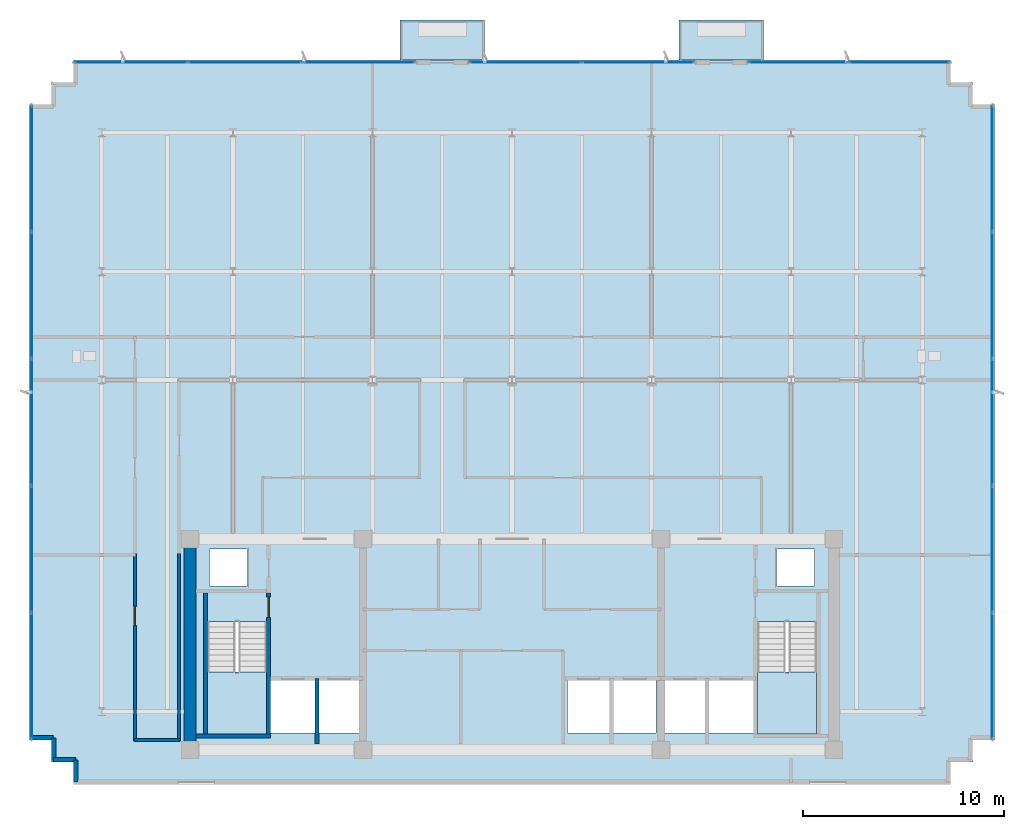
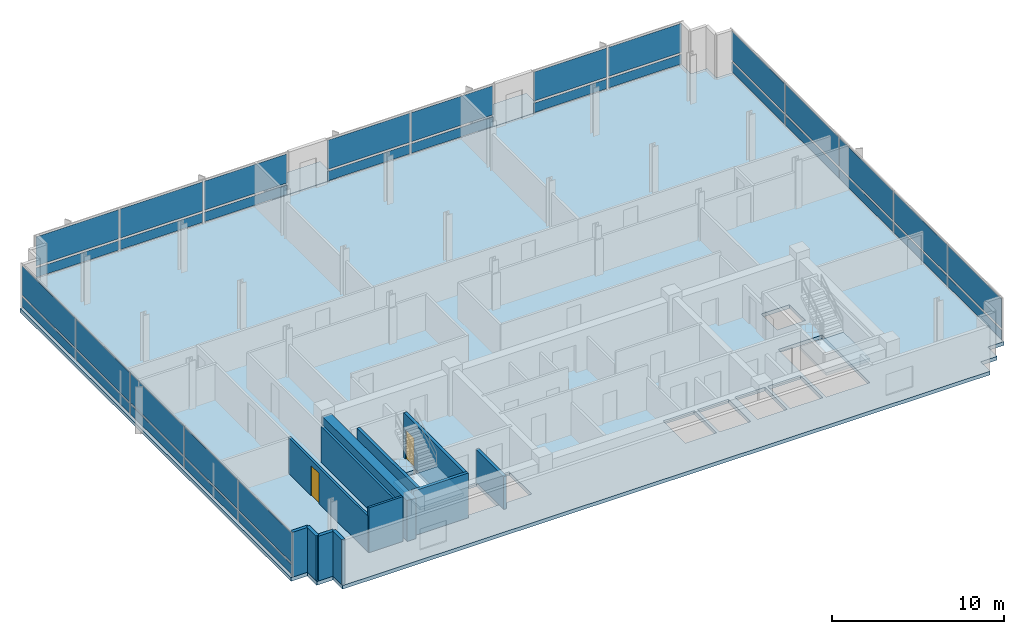
# One storey, part 7 of 13: 34 plates, 12 walls, 5 slabs, 2 doors, 2 openings, 7 elements without a shape of their own.
"""IFC4 building model written with IfcOpenShell, lengths in metres."""

from ifc_helpers import new_model, si_unit, direction, frame, frame_2d, origin, origin_2d, place, context, subcontext, project, spatial, polyline, rectangle, outline, extrude, material, layer, layer_set, type_object, element, fill, aggregate, save


model = new_model("IFC4")

# Units and contexts
model_context = context("Model", 3, precision=1e-05, world=origin(), true_north=direction((0.0, 1.0)))
body_context = subcontext(model_context, "Body", "Model", "MODEL_VIEW")
ifc_project = project(units=[si_unit("LENGTHUNIT", "METRE"), si_unit("AREAUNIT", "SQUARE_METRE"), si_unit("VOLUMEUNIT", "CUBIC_METRE"), si_unit("PLANEANGLEUNIT", "RADIAN"), si_unit("MASSUNIT", "GRAM", prefix="KILO")], contexts=[model_context])

# Site, building, storey
site_placement = place(None, origin())
site = spatial("IfcSite", under=ifc_project, at=site_placement, CompositionType="ELEMENT")
building_placement = place(site_placement, origin())
building = spatial("IfcBuilding", under=site, at=building_placement, Name="Solmavex Isthmus Hotel", CompositionType="ELEMENT")
storey_placement = place(building_placement, frame((0.0, 0.0, 279.89990234375)))
storey = spatial("IfcBuildingStorey", under=building, at=storey_placement, Name="L76", CompositionType="ELEMENT", Elevation=279.89990234375)

# Curtain wall, plates
ifc_material_1 = material(Name="Aluminium alloy 6063-T6", Category="aluminium")
curtain_wall_type = type_object("IfcCurtainWallType", Name="CW-SYS-04", PredefinedType="NOTDEFINED", material=ifc_material_1)
curtain_wall_1_placement = place(storey_placement, origin())
curtain_wall_1 = element("IfcCurtainWall", 1, at=curtain_wall_1_placement, inside=storey, type_object=curtain_wall_type, Name="Stick Curtain Wall CWL-L76-N1", PredefinedType="NOTDEFINED")
ifc_material_2 = material(Name="Clear low-E laminated glass", Category="glass")
ifc_layer_1 = layer(ifc_material_2, 0.033935546875)
ifc_layer_set_1 = layer_set([ifc_layer_1], Name="Clear low-E laminated glass")
plate_type = type_object("IfcPlateType", Name="CW-SYS-04-PNL", PredefinedType="CURTAIN_PANEL", material=ifc_layer_set_1)
plate_1_placement = place(storey_placement, frame((-18.942626953125, 21.179931640625, 0.14990234375), z_axis=(0.0, 0.0, 1.0), x_axis=(1.0, 0.0, 0.0)))
plate_1 = element("IfcPlate", 2, at=plate_1_placement, type_object=plate_type, Name="CW-04 panel 1.1", PredefinedType="CURTAIN_PANEL", context=body_context, shape_type="SweptSolid", body=[
    extrude(rectangle(XDim=5.56494140625, YDim=0.033935546875, at=origin_2d()), origin(), (0.0, 0.0, 1.0), 0.675048828125),
])
plate_2_placement = place(storey_placement, frame((-18.942626953125, 21.179931640625, 0.97509765625), z_axis=(0.0, 0.0, 1.0), x_axis=(1.0, 0.0, 0.0)))
plate_2 = element("IfcPlate", 3, at=plate_2_placement, type_object=plate_type, Name="CW-04 panel 1.2", PredefinedType="CURTAIN_PANEL", context=body_context, shape_type="SweptSolid", body=[
    extrude(rectangle(XDim=5.56494140625, YDim=0.033935546875, at=origin_2d()), origin(), (0.0, 0.0, 1.0), 2.06494140625),
])
plate_3_placement = place(storey_placement, frame((-13.283935546875, 21.179931640625, 0.14990234375), z_axis=(0.0, 0.0, 1.0), x_axis=(1.0, 0.0, 0.0)))
plate_3 = element("IfcPlate", 4, at=plate_3_placement, type_object=plate_type, Name="CW-04 panel 2.1", PredefinedType="CURTAIN_PANEL", context=body_context, shape_type="SweptSolid", body=[
    extrude(rectangle(XDim=5.602294921875, YDim=0.033935546875, at=origin_2d()), origin(), (0.0, 0.0, 1.0), 0.675048828125),
])
plate_4_placement = place(storey_placement, frame((-13.283935546875, 21.179931640625, 0.97509765625), z_axis=(0.0, 0.0, 1.0), x_axis=(1.0, 0.0, 0.0)))
plate_4 = element("IfcPlate", 5, at=plate_4_placement, type_object=plate_type, Name="CW-04 panel 2.2", PredefinedType="CURTAIN_PANEL", context=body_context, shape_type="SweptSolid", body=[
    extrude(rectangle(XDim=5.602294921875, YDim=0.033935546875, at=origin_2d()), origin(), (0.0, 0.0, 1.0), 2.06494140625),
])
plate_5_placement = place(storey_placement, frame((-7.62548828125, 21.179931640625, 0.14990234375), z_axis=(0.0, 0.0, 1.0), x_axis=(1.0, 0.0, 0.0)))
plate_5 = element("IfcPlate", 6, at=plate_5_placement, type_object=plate_type, Name="CW-04 panel 3.1", PredefinedType="CURTAIN_PANEL", context=body_context, shape_type="SweptSolid", body=[
    extrude(rectangle(XDim=5.56494140625, YDim=0.033935546875, at=origin_2d()), origin(), (0.0, 0.0, 1.0), 0.675048828125),
])
plate_6_placement = place(storey_placement, frame((-7.62548828125, 21.179931640625, 0.97509765625), z_axis=(0.0, 0.0, 1.0), x_axis=(1.0, 0.0, 0.0)))
plate_6 = element("IfcPlate", 7, at=plate_6_placement, type_object=plate_type, Name="CW-04 panel 3.2", PredefinedType="CURTAIN_PANEL", context=body_context, shape_type="SweptSolid", body=[
    extrude(rectangle(XDim=5.56494140625, YDim=0.033935546875, at=origin_2d()), origin(), (0.0, 0.0, 1.0), 2.06494140625),
])
aggregate(curtain_wall_1, [plate_1, plate_2, plate_3, plate_4, plate_5, plate_6])

curtain_wall_2_placement = place(storey_placement, origin())
curtain_wall_2 = element("IfcCurtainWall", 8, at=curtain_wall_2_placement, inside=storey, type_object=curtain_wall_type, Name="Stick Curtain Wall CWL-L76-N2", PredefinedType="NOTDEFINED")
plate_7_placement = place(storey_placement, frame((0.668701171875, 21.179931640625, 0.14990234375), z_axis=(0.0, 0.0, 1.0), x_axis=(1.0, 0.0, 0.0)))
plate_7 = element("IfcPlate", 9, at=plate_7_placement, type_object=plate_type, Name="CW-04 panel 1.1", PredefinedType="CURTAIN_PANEL", context=body_context, shape_type="SweptSolid", body=[
    extrude(rectangle(XDim=5.5234375, YDim=0.033935546875, at=origin_2d()), origin(), (0.0, 0.0, 1.0), 0.675048828125),
])
plate_8_placement = place(storey_placement, frame((0.668701171875, 21.179931640625, 0.97509765625), z_axis=(0.0, 0.0, 1.0), x_axis=(1.0, 0.0, 0.0)))
plate_8 = element("IfcPlate", 10, at=plate_8_placement, type_object=plate_type, Name="CW-04 panel 1.2", PredefinedType="CURTAIN_PANEL", context=body_context, shape_type="SweptSolid", body=[
    extrude(rectangle(XDim=5.5234375, YDim=0.033935546875, at=origin_2d()), origin(), (0.0, 0.0, 1.0), 2.06494140625),
])
plate_9_placement = place(storey_placement, frame((6.267333984375, 21.179931640625, 0.14990234375), z_axis=(0.0, 0.0, 1.0), x_axis=(1.0, 0.0, 0.0)))
plate_9 = element("IfcPlate", 11, at=plate_9_placement, type_object=plate_type, Name="CW-04 panel 2.1", PredefinedType="CURTAIN_PANEL", context=body_context, shape_type="SweptSolid", body=[
    extrude(rectangle(XDim=5.5234375, YDim=0.033935546875, at=origin_2d()), origin(), (0.0, 0.0, 1.0), 0.675048828125),
])
plate_10_placement = place(storey_placement, frame((6.267333984375, 21.179931640625, 0.97509765625), z_axis=(0.0, 0.0, 1.0), x_axis=(1.0, 0.0, 0.0)))
plate_10 = element("IfcPlate", 12, at=plate_10_placement, type_object=plate_type, Name="CW-04 panel 2.2", PredefinedType="CURTAIN_PANEL", context=body_context, shape_type="SweptSolid", body=[
    extrude(rectangle(XDim=5.5234375, YDim=0.033935546875, at=origin_2d()), origin(), (0.0, 0.0, 1.0), 2.06494140625),
])
aggregate(curtain_wall_2, [plate_7, plate_8, plate_9, plate_10])

curtain_wall_3_placement = place(storey_placement, origin())
curtain_wall_3 = element("IfcCurtainWall", 13, at=curtain_wall_3_placement, inside=storey, type_object=curtain_wall_type, Name="Stick Curtain Wall CWL-L76-N3", PredefinedType="NOTDEFINED")
plate_11_placement = place(storey_placement, frame((14.246826171875, 21.179931640625, 0.14990234375), z_axis=(0.0, 0.0, 1.0), x_axis=(1.0, 0.0, 0.0)))
plate_11 = element("IfcPlate", 14, at=plate_11_placement, type_object=plate_type, Name="CW-04 panel 1.1", PredefinedType="CURTAIN_PANEL", context=body_context, shape_type="SweptSolid", body=[
    extrude(rectangle(XDim=4.935546875, YDim=0.033935546875, at=origin_2d()), origin(), (0.0, 0.0, 1.0), 0.675048828125),
])
plate_12_placement = place(storey_placement, frame((14.246826171875, 21.179931640625, 0.97509765625), z_axis=(0.0, 0.0, 1.0), x_axis=(1.0, 0.0, 0.0)))
plate_12 = element("IfcPlate", 15, at=plate_12_placement, type_object=plate_type, Name="CW-04 panel 1.2", PredefinedType="CURTAIN_PANEL", context=body_context, shape_type="SweptSolid", body=[
    extrude(rectangle(XDim=4.935546875, YDim=0.033935546875, at=origin_2d()), origin(), (0.0, 0.0, 1.0), 2.06494140625),
])
plate_13_placement = place(storey_placement, frame((19.25732421875, 21.179931640625, 0.14990234375), z_axis=(0.0, 0.0, 1.0), x_axis=(1.0, 0.0, 0.0)))
plate_13 = element("IfcPlate", 16, at=plate_13_placement, type_object=plate_type, Name="CW-04 panel 2.1", PredefinedType="CURTAIN_PANEL", context=body_context, shape_type="SweptSolid", body=[
    extrude(rectangle(XDim=4.935546875, YDim=0.033935546875, at=origin_2d()), origin(), (0.0, 0.0, 1.0), 0.675048828125),
])
plate_14_placement = place(storey_placement, frame((19.25732421875, 21.179931640625, 0.97509765625), z_axis=(0.0, 0.0, 1.0), x_axis=(1.0, 0.0, 0.0)))
plate_14 = element("IfcPlate", 17, at=plate_14_placement, type_object=plate_type, Name="CW-04 panel 2.2", PredefinedType="CURTAIN_PANEL", context=body_context, shape_type="SweptSolid", body=[
    extrude(rectangle(XDim=4.935546875, YDim=0.033935546875, at=origin_2d()), origin(), (0.0, 0.0, 1.0), 2.06494140625),
])
aggregate(curtain_wall_3, [plate_11, plate_12, plate_13, plate_14])

curtain_wall_4_placement = place(storey_placement, origin())
curtain_wall_4 = element("IfcCurtainWall", 18, at=curtain_wall_4_placement, inside=storey, type_object=curtain_wall_type, Name="Stick Curtain Wall CWL-L76-W1", PredefinedType="NOTDEFINED")
plate_15_placement = place(storey_placement, frame((-23.8798828125, -9.3212890625, 0.14990234375), z_axis=(0.0, 0.0, 1.0), x_axis=(0.0, 1.0, 0.0)))
plate_15 = element("IfcPlate", 19, at=plate_15_placement, type_object=plate_type, Name="CW-04 panel 1.1", PredefinedType="CURTAIN_PANEL", context=body_context, shape_type="SweptSolid", body=[
    extrude(rectangle(XDim=6.20751953125, YDim=0.033935546875, at=origin_2d()), origin(), (0.0, 0.0, 1.0), 0.675048828125),
])
plate_16_placement = place(storey_placement, frame((-23.8798828125, -9.3212890625, 0.97509765625), z_axis=(0.0, 0.0, 1.0), x_axis=(0.0, 1.0, 0.0)))
plate_16 = element("IfcPlate", 20, at=plate_16_placement, type_object=plate_type, Name="CW-04 panel 1.2", PredefinedType="CURTAIN_PANEL", context=body_context, shape_type="SweptSolid", body=[
    extrude(rectangle(XDim=6.20751953125, YDim=0.033935546875, at=origin_2d()), origin(), (0.0, 0.0, 1.0), 2.06494140625),
])
plate_17_placement = place(storey_placement, frame((-23.8798828125, -3.02001953125, 0.14990234375), z_axis=(0.0, 0.0, 1.0), x_axis=(0.0, 1.0, 0.0)))
plate_17 = element("IfcPlate", 21, at=plate_17_placement, type_object=plate_type, Name="CW-04 panel 2.1", PredefinedType="CURTAIN_PANEL", context=body_context, shape_type="SweptSolid", body=[
    extrude(rectangle(XDim=6.2451171875, YDim=0.033935546875, at=origin_2d()), origin(), (0.0, 0.0, 1.0), 0.675048828125),
])
plate_18_placement = place(storey_placement, frame((-23.8798828125, -3.02001953125, 0.97509765625), z_axis=(0.0, 0.0, 1.0), x_axis=(0.0, 1.0, 0.0)))
plate_18 = element("IfcPlate", 22, at=plate_18_placement, type_object=plate_type, Name="CW-04 panel 2.2", PredefinedType="CURTAIN_PANEL", context=body_context, shape_type="SweptSolid", body=[
    extrude(rectangle(XDim=6.2451171875, YDim=0.033935546875, at=origin_2d()), origin(), (0.0, 0.0, 1.0), 2.06494140625),
])
plate_19_placement = place(storey_placement, frame((-23.8798828125, 3.300048828125, 0.14990234375), z_axis=(0.0, 0.0, 1.0), x_axis=(0.0, 1.0, 0.0)))
plate_19 = element("IfcPlate", 23, at=plate_19_placement, type_object=plate_type, Name="CW-04 panel 3.1", PredefinedType="CURTAIN_PANEL", context=body_context, shape_type="SweptSolid", body=[
    extrude(rectangle(XDim=6.2451171875, YDim=0.033935546875, at=origin_2d()), origin(), (0.0, 0.0, 1.0), 0.675048828125),
])
plate_20_placement = place(storey_placement, frame((-23.8798828125, 3.300048828125, 0.97509765625), z_axis=(0.0, 0.0, 1.0), x_axis=(0.0, 1.0, 0.0)))
plate_20 = element("IfcPlate", 24, at=plate_20_placement, type_object=plate_type, Name="CW-04 panel 3.2", PredefinedType="CURTAIN_PANEL", context=body_context, shape_type="SweptSolid", body=[
    extrude(rectangle(XDim=6.2451171875, YDim=0.033935546875, at=origin_2d()), origin(), (0.0, 0.0, 1.0), 2.06494140625),
])
plate_21_placement = place(storey_placement, frame((-23.8798828125, 9.6201171875, 0.14990234375), z_axis=(0.0, 0.0, 1.0), x_axis=(0.0, 1.0, 0.0)))
plate_21 = element("IfcPlate", 25, at=plate_21_placement, type_object=plate_type, Name="CW-04 panel 4.1", PredefinedType="CURTAIN_PANEL", context=body_context, shape_type="SweptSolid", body=[
    extrude(rectangle(XDim=6.2451171875, YDim=0.033935546875, at=origin_2d()), origin(), (0.0, 0.0, 1.0), 0.675048828125),
])
plate_22_placement = place(storey_placement, frame((-23.8798828125, 9.6201171875, 0.97509765625), z_axis=(0.0, 0.0, 1.0), x_axis=(0.0, 1.0, 0.0)))
plate_22 = element("IfcPlate", 26, at=plate_22_placement, type_object=plate_type, Name="CW-04 panel 4.2", PredefinedType="CURTAIN_PANEL", context=body_context, shape_type="SweptSolid", body=[
    extrude(rectangle(XDim=6.2451171875, YDim=0.033935546875, at=origin_2d()), origin(), (0.0, 0.0, 1.0), 2.06494140625),
])
plate_23_placement = place(storey_placement, frame((-23.8798828125, 15.921142578125, 0.14990234375), z_axis=(0.0, 0.0, 1.0), x_axis=(0.0, 1.0, 0.0)))
plate_23 = element("IfcPlate", 27, at=plate_23_placement, type_object=plate_type, Name="CW-04 panel 5.1", PredefinedType="CURTAIN_PANEL", context=body_context, shape_type="SweptSolid", body=[
    extrude(rectangle(XDim=6.20751953125, YDim=0.033935546875, at=origin_2d()), origin(), (0.0, 0.0, 1.0), 0.675048828125),
])
plate_24_placement = place(storey_placement, frame((-23.8798828125, 15.921142578125, 0.97509765625), z_axis=(0.0, 0.0, 1.0), x_axis=(0.0, 1.0, 0.0)))
plate_24 = element("IfcPlate", 28, at=plate_24_placement, type_object=plate_type, Name="CW-04 panel 5.2", PredefinedType="CURTAIN_PANEL", context=body_context, shape_type="SweptSolid", body=[
    extrude(rectangle(XDim=6.20751953125, YDim=0.033935546875, at=origin_2d()), origin(), (0.0, 0.0, 1.0), 2.06494140625),
])
aggregate(curtain_wall_4, [plate_15, plate_16, plate_17, plate_18, plate_19, plate_20, plate_21, plate_22, plate_23, plate_24])

curtain_wall_5_placement = place(storey_placement, origin())
curtain_wall_5 = element("IfcCurtainWall", 29, at=curtain_wall_5_placement, inside=storey, type_object=curtain_wall_type, Name="Stick Curtain Wall CWL-L76-E1", PredefinedType="NOTDEFINED")
plate_25_placement = place(storey_placement, frame((23.8798828125, -9.3212890625, 0.14990234375), z_axis=(0.0, 0.0, 1.0), x_axis=(0.0, 1.0, 0.0)))
plate_25 = element("IfcPlate", 30, at=plate_25_placement, type_object=plate_type, Name="CW-04 panel 1.1", PredefinedType="CURTAIN_PANEL", context=body_context, shape_type="SweptSolid", body=[
    extrude(rectangle(XDim=6.20751953125, YDim=0.033935546875, at=origin_2d()), origin(), (0.0, 0.0, 1.0), 0.675048828125),
])
plate_26_placement = place(storey_placement, frame((23.8798828125, -9.3212890625, 0.97509765625), z_axis=(0.0, 0.0, 1.0), x_axis=(0.0, 1.0, 0.0)))
plate_26 = element("IfcPlate", 31, at=plate_26_placement, type_object=plate_type, Name="CW-04 panel 1.2", PredefinedType="CURTAIN_PANEL", context=body_context, shape_type="SweptSolid", body=[
    extrude(rectangle(XDim=6.20751953125, YDim=0.033935546875, at=origin_2d()), origin(), (0.0, 0.0, 1.0), 2.06494140625),
])
plate_27_placement = place(storey_placement, frame((23.8798828125, -3.02001953125, 0.14990234375), z_axis=(0.0, 0.0, 1.0), x_axis=(0.0, 1.0, 0.0)))
plate_27 = element("IfcPlate", 32, at=plate_27_placement, type_object=plate_type, Name="CW-04 panel 2.1", PredefinedType="CURTAIN_PANEL", context=body_context, shape_type="SweptSolid", body=[
    extrude(rectangle(XDim=6.2451171875, YDim=0.033935546875, at=origin_2d()), origin(), (0.0, 0.0, 1.0), 0.675048828125),
])
plate_28_placement = place(storey_placement, frame((23.8798828125, -3.02001953125, 0.97509765625), z_axis=(0.0, 0.0, 1.0), x_axis=(0.0, 1.0, 0.0)))
plate_28 = element("IfcPlate", 33, at=plate_28_placement, type_object=plate_type, Name="CW-04 panel 2.2", PredefinedType="CURTAIN_PANEL", context=body_context, shape_type="SweptSolid", body=[
    extrude(rectangle(XDim=6.2451171875, YDim=0.033935546875, at=origin_2d()), origin(), (0.0, 0.0, 1.0), 2.06494140625),
])
plate_29_placement = place(storey_placement, frame((23.8798828125, 3.300048828125, 0.14990234375), z_axis=(0.0, 0.0, 1.0), x_axis=(0.0, 1.0, 0.0)))
plate_29 = element("IfcPlate", 34, at=plate_29_placement, type_object=plate_type, Name="CW-04 panel 3.1", PredefinedType="CURTAIN_PANEL", context=body_context, shape_type="SweptSolid", body=[
    extrude(rectangle(XDim=6.2451171875, YDim=0.033935546875, at=origin_2d()), origin(), (0.0, 0.0, 1.0), 0.675048828125),
])
plate_30_placement = place(storey_placement, frame((23.8798828125, 3.300048828125, 0.97509765625), z_axis=(0.0, 0.0, 1.0), x_axis=(0.0, 1.0, 0.0)))
plate_30 = element("IfcPlate", 35, at=plate_30_placement, type_object=plate_type, Name="CW-04 panel 3.2", PredefinedType="CURTAIN_PANEL", context=body_context, shape_type="SweptSolid", body=[
    extrude(rectangle(XDim=6.2451171875, YDim=0.033935546875, at=origin_2d()), origin(), (0.0, 0.0, 1.0), 2.06494140625),
])
plate_31_placement = place(storey_placement, frame((23.8798828125, 9.6201171875, 0.14990234375), z_axis=(0.0, 0.0, 1.0), x_axis=(0.0, 1.0, 0.0)))
plate_31 = element("IfcPlate", 36, at=plate_31_placement, type_object=plate_type, Name="CW-04 panel 4.1", PredefinedType="CURTAIN_PANEL", context=body_context, shape_type="SweptSolid", body=[
    extrude(rectangle(XDim=6.2451171875, YDim=0.033935546875, at=origin_2d()), origin(), (0.0, 0.0, 1.0), 0.675048828125),
])
plate_32_placement = place(storey_placement, frame((23.8798828125, 9.6201171875, 0.97509765625), z_axis=(0.0, 0.0, 1.0), x_axis=(0.0, 1.0, 0.0)))
plate_32 = element("IfcPlate", 37, at=plate_32_placement, type_object=plate_type, Name="CW-04 panel 4.2", PredefinedType="CURTAIN_PANEL", context=body_context, shape_type="SweptSolid", body=[
    extrude(rectangle(XDim=6.2451171875, YDim=0.033935546875, at=origin_2d()), origin(), (0.0, 0.0, 1.0), 2.06494140625),
])
plate_33_placement = place(storey_placement, frame((23.8798828125, 15.921142578125, 0.14990234375), z_axis=(0.0, 0.0, 1.0), x_axis=(0.0, 1.0, 0.0)))
plate_33 = element("IfcPlate", 38, at=plate_33_placement, type_object=plate_type, Name="CW-04 panel 5.1", PredefinedType="CURTAIN_PANEL", context=body_context, shape_type="SweptSolid", body=[
    extrude(rectangle(XDim=6.20751953125, YDim=0.033935546875, at=origin_2d()), origin(), (0.0, 0.0, 1.0), 0.675048828125),
])
plate_34_placement = place(storey_placement, frame((23.8798828125, 15.921142578125, 0.97509765625), z_axis=(0.0, 0.0, 1.0), x_axis=(0.0, 1.0, 0.0)))
plate_34 = element("IfcPlate", 39, at=plate_34_placement, type_object=plate_type, Name="CW-04 panel 5.2", PredefinedType="CURTAIN_PANEL", context=body_context, shape_type="SweptSolid", body=[
    extrude(rectangle(XDim=6.20751953125, YDim=0.033935546875, at=origin_2d()), origin(), (0.0, 0.0, 1.0), 2.06494140625),
])
aggregate(curtain_wall_5, [plate_25, plate_26, plate_27, plate_28, plate_29, plate_30, plate_31, plate_32, plate_33, plate_34])

# Slabs
ifc_material_3 = material(Name="Concrete C40/50", Category="concrete")
ifc_layer_2 = layer(ifc_material_3, 0.239990234375)
ifc_layer_set_2 = layer_set([ifc_layer_2], Name="Concrete C40/50")
slab_type_1 = type_object("IfcSlabType", Name="SLAB-BALC-240", PredefinedType="FLOOR", material=ifc_layer_set_2)
slab_1_placement = place(storey_placement, frame((0.0, 0.0, -0.239990234375)))
element("IfcSlab", 40, at=slab_1_placement, inside=storey, type_object=slab_type_1, Name="Tree-Planter Balcony Slab L76-B1", PredefinedType="FLOOR", context=body_context, shape_type="SweptSolid", body=[
    extrude(outline(polyline([(-5.568115234375, 21.31494140625), (-1.367919921875, 21.31494140625), (-1.367919921875, 23.300048828125), (-5.568115234375, 23.300048828125), (-5.568115234375, 21.31494140625)])), origin(), (0.0, 0.0, 1.0), 0.239990234375),
])
slab_2_placement = place(storey_placement, frame((0.0, 0.0, -0.239990234375)))
element("IfcSlab", 41, at=slab_2_placement, inside=storey, type_object=slab_type_1, Name="Tree-Planter Balcony Slab L76-B2", PredefinedType="FLOOR", context=body_context, shape_type="SweptSolid", body=[
    extrude(outline(polyline([(8.303955078125, 21.31494140625), (12.50390625, 21.31494140625), (12.50390625, 23.300048828125), (8.303955078125, 23.300048828125), (8.303955078125, 21.31494140625)])), origin(), (0.0, 0.0, 1.0), 0.239990234375),
])
ifc_layer_3 = layer(ifc_material_3, 0.260009765625)
ifc_layer_set_3 = layer_set([ifc_layer_3], Name="Concrete C40/50")
slab_type_2 = type_object("IfcSlabType", Name="SLAB-TYP-260", PredefinedType="FLOOR", material=ifc_layer_set_3)
slab_3_placement = place(storey_placement, frame((0.0, 0.0, -0.260009765625)))
element("IfcSlab", 42, at=slab_3_placement, inside=storey, type_object=slab_type_2, Name="Tower Structural Floor Slab L76", PredefinedType="FLOOR", context=body_context, shape_type="SweptSolid", body=[
    extrude(outline(polyline([(-20.699951171875, -14.699951171875), (20.699951171875, -14.699951171875), (21.800048828125, -14.699951171875), (21.800048828125, -13.60009765625), (22.89990234375, -13.60009765625), (22.89990234375, -12.5), (24.0, -12.5), (24.0, -11.39990234375), (24.0, 18.0), (24.0, 19.10009765625), (22.89990234375, 19.10009765625), (22.89990234375, 20.199951171875), (21.800048828125, 20.199951171875), (21.800048828125, 21.300048828125), (20.699951171875, 21.300048828125), (-20.699951171875, 21.300048828125), (-21.800048828125, 21.300048828125), (-21.800048828125, 20.199951171875), (-22.89990234375, 20.199951171875), (-22.89990234375, 19.10009765625), (-24.0, 19.10009765625), (-24.0, 18.0), (-24.0, -11.39990234375), (-24.0, -12.5), (-22.89990234375, -12.5), (-22.89990234375, -13.60009765625), (-21.800048828125, -13.60009765625), (-21.800048828125, -14.699951171875), (-20.699951171875, -14.699951171875)]), holes=[polyline([(-15.14990234375, -6.617919921875), (-15.14990234375, -12.199951171875), (-12.199951171875, -12.199951171875), (-12.199951171875, -6.617919921875), (-15.14990234375, -6.617919921875)]), polyline([(12.199951171875, -6.617919921875), (12.199951171875, -12.199951171875), (15.14990234375, -12.199951171875), (15.14990234375, -6.617919921875), (12.199951171875, -6.617919921875)]), polyline([(-12.0, -12.14990234375), (-9.800048828125, -12.14990234375), (-9.800048828125, -9.550048828125), (-12.0, -9.550048828125), (-12.0, -12.14990234375)]), polyline([(9.800048828125, -12.14990234375), (12.0, -12.14990234375), (12.0, -9.550048828125), (9.800048828125, -9.550048828125), (9.800048828125, -12.14990234375)]), polyline([(-9.60009765625, -12.14990234375), (-7.60009765625, -12.14990234375), (-7.60009765625, -9.550048828125), (-9.60009765625, -9.550048828125), (-9.60009765625, -12.14990234375)]), polyline([(7.60009765625, -12.14990234375), (9.60009765625, -12.14990234375), (9.60009765625, -9.550048828125), (7.60009765625, -9.550048828125), (7.60009765625, -12.14990234375)]), polyline([(2.75, -12.14990234375), (4.85009765625, -12.14990234375), (4.85009765625, -9.550048828125), (2.75, -9.550048828125), (2.75, -12.14990234375)]), polyline([(5.050048828125, -12.14990234375), (7.14990234375, -12.14990234375), (7.14990234375, -9.550048828125), (5.050048828125, -9.550048828125), (5.050048828125, -12.14990234375)]), polyline([(-15.050048828125, -4.85009765625), (-13.14990234375, -4.85009765625), (-13.14990234375, -3.0), (-15.050048828125, -3.0), (-15.050048828125, -4.85009765625)]), polyline([(13.14990234375, -4.85009765625), (15.050048828125, -4.85009765625), (15.050048828125, -3.0), (13.14990234375, -3.0), (13.14990234375, -4.85009765625)])]), origin(), (0.0, 0.0, 1.0), 0.260009765625),
])

# Stair, slab
stair_type_1 = type_object("IfcStairType", Name="STR-ST-1", PredefinedType="HALF_TURN_STAIR", material=ifc_material_3)
stair_1_placement = place(storey_placement, origin())
stair_1 = element("IfcStair", 43, at=stair_1_placement, inside=storey, type_object=stair_type_1, Name="L76 Protected Exit Stair ST-1", PredefinedType="HALF_TURN_STAIR")
ifc_layer_4 = layer(ifc_material_3, 0.219970703125)
ifc_layer_set_4 = layer_set([ifc_layer_4], Name="Concrete C40/50")
slab_type_3 = type_object("IfcSlabType", Name="SLD-ST-1", PredefinedType="LANDING", material=ifc_layer_set_4)
slab_4_placement = place(storey_placement, frame((0.0, 0.0, 1.525146484375)))
slab_4 = element("IfcSlab", 44, at=slab_4_placement, type_object=slab_type_3, Name="ST-1 landing 1", PredefinedType="LANDING", context=body_context, shape_type="SweptSolid", body=[
    extrude(outline(polyline([(-15.14990234375, -9.1201171875), (-15.14990234375, -12.199951171875), (-12.199951171875, -12.199951171875), (-12.199951171875, -9.1201171875), (-15.14990234375, -9.1201171875)])), origin(), (0.0, 0.0, 1.0), 0.199951171875),
])
aggregate(stair_1, [slab_4])

stair_type_2 = type_object("IfcStairType", Name="STR-ST-2", PredefinedType="HALF_TURN_STAIR", material=ifc_material_3)
stair_2_placement = place(storey_placement, origin())
stair_2 = element("IfcStair", 45, at=stair_2_placement, inside=storey, type_object=stair_type_2, Name="L76 Protected Exit Stair ST-2", PredefinedType="HALF_TURN_STAIR")
ifc_layer_5 = layer(ifc_material_3, 0.219970703125)
ifc_layer_set_5 = layer_set([ifc_layer_5], Name="Concrete C40/50")
slab_type_4 = type_object("IfcSlabType", Name="SLD-ST-2", PredefinedType="LANDING", material=ifc_layer_set_5)
slab_5_placement = place(storey_placement, frame((0.0, 0.0, 1.525146484375)))
slab_5 = element("IfcSlab", 46, at=slab_5_placement, type_object=slab_type_4, Name="ST-2 landing 1", PredefinedType="LANDING", context=body_context, shape_type="SweptSolid", body=[
    extrude(outline(polyline([(12.199951171875, -9.1201171875), (12.199951171875, -12.199951171875), (15.14990234375, -12.199951171875), (15.14990234375, -9.1201171875), (12.199951171875, -9.1201171875)])), origin(), (0.0, 0.0, 1.0), 0.199951171875),
])
aggregate(stair_2, [slab_5])

# Walls
ifc_material_4 = material(Name="Precast Concrete C40/50", Category="concrete")
ifc_layer_6 = layer(ifc_material_4, 0.25)
ifc_layer_set_6 = layer_set([ifc_layer_6], Name="Precast Concrete C40/50")
wall_type_1 = type_object("IfcWallType", Name="EW-TWR-250", PredefinedType="STANDARD", material=ifc_layer_set_6)
for number, where, z_axis, x_axis, name in (
    (47, (-21.68994140625, -14.590087890625, 0.0), (0.0, 0.0, 1.0), (0.0, 1.0, 0.0), "Serrated Corner Facade Panel L76-01"),
    (48, (-21.68994140625, -13.489990234375, 0.0), (0.0, 0.0, 1.0), (-1.0, 0.0, 0.0), "Serrated Corner Facade Panel L76-02"),
    (49, (-22.7900390625, -13.489990234375, 0.0), (0.0, 0.0, 1.0), (0.0, 1.0, 0.0), "Serrated Corner Facade Panel L76-03"),
):
    element("IfcWall", number, at=place(storey_placement, frame(where, z_axis=z_axis, x_axis=x_axis)), inside=storey, type_object=wall_type_1, Name=name, PredefinedType="STANDARD", context=body_context, shape_type="SweptSolid", body=[
        extrude(rectangle(XDim=1.10009765625, YDim=0.219970703125, at=frame_2d((0.550048828125, 0.0))), origin(), (0.0, 0.0, 1.0), 3.190185546875),
    ])
wall_1_placement = place(storey_placement, frame((-22.7900390625, -12.389892578125, 0.0), z_axis=(0.0, 0.0, 1.0), x_axis=(-1.0, 0.0, 0.0)))
element("IfcWall", 50, at=wall_1_placement, inside=storey, type_object=wall_type_1, Name="Serrated Corner Facade Panel L76-04", PredefinedType="STANDARD", context=body_context, shape_type="SweptSolid", body=[
    extrude(rectangle(XDim=1.099853515625, YDim=0.219970703125, at=frame_2d((0.5498046875, 0.0))), origin(), (0.0, 0.0, 1.0), 3.190185546875),
])
ifc_material_5 = material(Name="Gypsum plasterboard lining", Category="gypsum")
ifc_layer_7 = layer(ifc_material_5, 0.14990234375)
ifc_layer_set_7 = layer_set([ifc_layer_7], Name="Gypsum plasterboard lining")
wall_type_2 = type_object("IfcWallType", Name="IW-CORR-150", PredefinedType="PARTITIONING", material=ifc_layer_set_7)
wall_2_placement = place(storey_placement, frame((-16.550048828125, -3.218017578125, 0.0), z_axis=(0.0, 0.0, 1.0), x_axis=(0.0, -1.0, 0.0)))
element("IfcWall", 51, at=wall_2_placement, inside=storey, type_object=wall_type_2, Name="Interior Partition Wall W-L76-P024", PredefinedType="PARTITIONING", context=body_context, shape_type="SweptSolid", body=[
    extrude(rectangle(XDim=9.322021484375, YDim=0.14990234375, at=frame_2d((4.6611328125, 0.0))), origin(), (0.0, 0.0, 1.0), 2.5576171875),
])
wall_3_placement = place(storey_placement, frame((-16.510009765625, -12.5, 0.0), z_axis=(0.0, 0.0, 1.0), x_axis=(-1.0, 0.0, 0.0)))
element("IfcWall", 52, at=wall_3_placement, inside=storey, type_object=wall_type_2, Name="Interior Partition Wall W-L76-P025", PredefinedType="PARTITIONING", context=body_context, shape_type="SweptSolid", body=[
    extrude(rectangle(XDim=2.280029296875, YDim=0.14990234375, at=frame_2d((1.14013671875, 0.0))), origin(), (0.0, 0.0, 1.0), 3.190185546875),
])

# Wall, opening, door
wall_4_placement = place(storey_placement, frame((-18.75, -12.5400390625, 0.0), z_axis=(0.0, 0.0, 1.0), x_axis=(0.0, 1.0, 0.0)))
wall_4 = element("IfcWall", 53, at=wall_4_placement, inside=storey, type_object=wall_type_2, Name="Interior Partition Wall W-L76-P026", PredefinedType="PARTITIONING", context=body_context, shape_type="SweptSolid", body=[
    extrude(rectangle(XDim=9.322021484375, YDim=0.14990234375, at=frame_2d((4.6611328125, 0.0))), origin(), (0.0, 0.0, 1.0), 2.5576171875),
])
opening_1_placement = place(wall_4_placement, frame((5.73876953125, 0.0, 0.0)))
opening_1 = element("IfcOpeningElement", 54, at=opening_1_placement, cuts=wall_4, Name="Opening ID-C095", PredefinedType="OPENING", context=body_context, shape_type="SweptSolid", body=[
    extrude(rectangle(XDim=0.949951171875, YDim=2.14990234375, at=frame_2d((0.47509765625, 1.074951171875))), frame((0.0, 0.0849609375, 0.0), z_axis=(0.0, -1.0, 0.0), x_axis=(1.0, 0.0, 0.0)), (0.0, 0.0, 1.0), 0.169921875),
])
ifc_material_6 = material(Name="Hardwood timber", Category="wood")
door_type_1 = type_object("IfcDoorType", Name="IDR-FD60-0950", OperationType="NOTDEFINED", PredefinedType="DOOR", material=ifc_material_6)
door_1_placement = place(opening_1_placement, origin())
door_1 = element("IfcDoor", 55, at=door_1_placement, inside=storey, type_object=door_type_1, Name="Executive Hospitality Lounge Door L76-12", OperationType="SINGLE_SWING_RIGHT", OverallHeight=2.14990234375, OverallWidth=0.949951171875, PredefinedType="DOOR", context=body_context, shape_type="SweptSolid", body=[
    extrude(rectangle(XDim=0.949951171875, YDim=2.14990234375, at=frame_2d((0.47509765625, 1.074951171875))), frame((0.0, 0.02490234375, 0.0), z_axis=(0.0, -1.0, 0.0), x_axis=(1.0, 0.0, 0.0)), (0.0, 0.0, 1.0), 0.050048828125),
])
fill(opening_1, door_1)

# Walls
ifc_layer_8 = layer(ifc_material_3, 0.199951171875)
ifc_layer_set_8 = layer_set([ifc_layer_8], Name="Concrete C40/50")
wall_type_3 = type_object("IfcWallType", Name="IW-SHAFT-200", PredefinedType="PARTITIONING", material=ifc_layer_set_8)
wall_5_placement = place(storey_placement, frame((-9.699951171875, -12.699951171875, 0.0), z_axis=(0.0, 0.0, 1.0), x_axis=(0.0, 1.0, 0.0)))
element("IfcWall", 56, at=wall_5_placement, inside=storey, type_object=wall_type_3, Name="Interior Partition Wall W-L76-FFLW-M", PredefinedType="PARTITIONING", context=body_context, shape_type="SweptSolid", body=[
    extrude(rectangle(XDim=3.25, YDim=0.199951171875, at=frame_2d((1.625, 0.0))), origin(), (0.0, 0.0, 1.0), 2.3251953125),
])
ifc_material_7 = material(Name="Concrete C50/60", Category="concrete")
ifc_layer_9 = layer(ifc_material_7, 0.60009765625)
ifc_layer_set_9 = layer_set([ifc_layer_9], Name="Concrete C50/60")
wall_type_4 = type_object("IfcWallType", Name="WALL-CW-600", PredefinedType="SHEAR", material=ifc_layer_set_9)
wall_6_placement = place(storey_placement, frame((-16.0, -12.699951171875, 0.0), z_axis=(0.0, 0.0, 1.0), x_axis=(0.0, 1.0, 0.0)))
element("IfcWall", 57, at=wall_6_placement, inside=storey, type_object=wall_type_4, Name="Core Shear Wall West L76", PredefinedType="SHEAR", context=body_context, shape_type="SweptSolid", body=[
    extrude(rectangle(XDim=9.89990234375, YDim=0.60009765625, at=frame_2d((4.949951171875, 0.0))), origin(), (0.0, 0.0, 1.0), 2.91015625),
])
ifc_layer_10 = layer(ifc_material_3, 0.199951171875)
ifc_layer_set_10 = layer_set([ifc_layer_10], Name="Concrete C40/50")
wall_type_5 = type_object("IfcWallType", Name="WALL-SW-200", PredefinedType="SOLIDWALL", material=ifc_layer_set_10)
wall_7_placement = place(storey_placement, frame((-15.699951171875, -12.300048828125, 0.0), z_axis=(0.0, 0.0, 1.0), x_axis=(1.0, 0.0, 0.0)))
element("IfcWall", 58, at=wall_7_placement, inside=storey, type_object=wall_type_5, Name="Stairwell Structural Wall SW-L76-ST1-S", PredefinedType="SOLIDWALL", context=body_context, shape_type="SweptSolid", body=[
    extrude(rectangle(XDim=3.699951171875, YDim=0.199951171875, at=frame_2d((1.85009765625, 0.0))), origin(), (0.0, 0.0, 1.0), 3.190185546875),
])
wall_8_placement = place(storey_placement, frame((-15.25, -12.199951171875, 0.0), z_axis=(0.0, 0.0, 1.0), x_axis=(0.0, 1.0, 0.0)))
element("IfcWall", 59, at=wall_8_placement, inside=storey, type_object=wall_type_5, Name="Stairwell Structural Wall SW-L76-ST1-W", PredefinedType="SOLIDWALL", context=body_context, shape_type="SweptSolid", body=[
    extrude(rectangle(XDim=7.0, YDim=0.199951171875, at=frame_2d((3.5, 0.0))), origin(), (0.0, 0.0, 1.0), 3.190185546875),
])

# Wall, opening, door
wall_9_placement = place(storey_placement, frame((-12.10009765625, -12.199951171875, 0.0), z_axis=(0.0, 0.0, 1.0), x_axis=(0.0, 1.0, 0.0)))
wall_9 = element("IfcWall", 60, at=wall_9_placement, inside=storey, type_object=wall_type_5, Name="Stairwell Structural Wall SW-L76-ST1-E", PredefinedType="SOLIDWALL", context=body_context, shape_type="SweptSolid", body=[
    extrude(rectangle(XDim=7.0, YDim=0.199951171875, at=frame_2d((3.5, 0.0))), origin(), (0.0, 0.0, 1.0), 3.190185546875),
])
opening_2_placement = place(wall_9_placement, frame((5.800048828125, 0.0, 0.0)))
opening_2 = element("IfcOpeningElement", 61, at=opening_2_placement, cuts=wall_9, Name="Opening ID-F100", PredefinedType="OPENING", context=body_context, shape_type="SweptSolid", body=[
    extrude(rectangle(XDim=1.0, YDim=2.10009765625, at=frame_2d((0.5, 1.050048828125))), frame((0.0, 0.10986328125, 0.0), z_axis=(0.0, -1.0, 0.0), x_axis=(1.0, 0.0, 0.0)), (0.0, 0.0, 1.0), 0.219970703125),
])
ifc_material_8 = material(Name="Steel ASTM A500 Grade C", Category="steel")
door_type_2 = type_object("IfcDoorType", Name="IDR-FD90-1000", OperationType="NOTDEFINED", PredefinedType="DOOR", material=ifc_material_8)
door_2_placement = place(opening_2_placement, frame((1.0, 0.0, 0.0), z_axis=(0.0, 0.0, 1.0), x_axis=(-1.0, 0.0, 0.0)))
door_2 = element("IfcDoor", 62, at=door_2_placement, inside=storey, type_object=door_type_2, Name="Stair ST-1 Fire Door L76", OperationType="SINGLE_SWING_LEFT", OverallHeight=2.10009765625, OverallWidth=1.0, PredefinedType="DOOR", context=body_context, shape_type="SweptSolid", body=[
    extrude(rectangle(XDim=1.0, YDim=2.10009765625, at=frame_2d((0.5, 1.050048828125))), frame((0.0, 0.02490234375, 0.0), z_axis=(0.0, -1.0, 0.0), x_axis=(1.0, 0.0, 0.0)), (0.0, 0.0, 1.0), 0.050048828125),
])
fill(opening_2, door_2)

save(model, "model.ifc")
